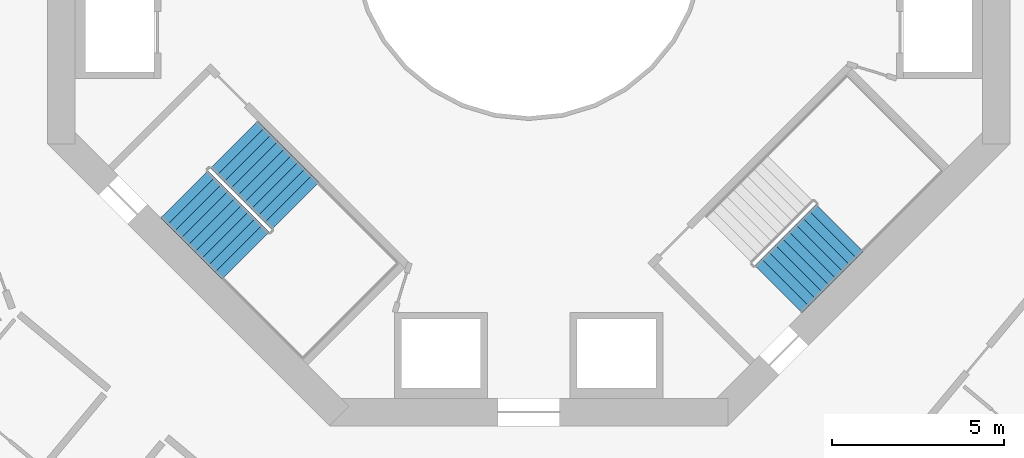
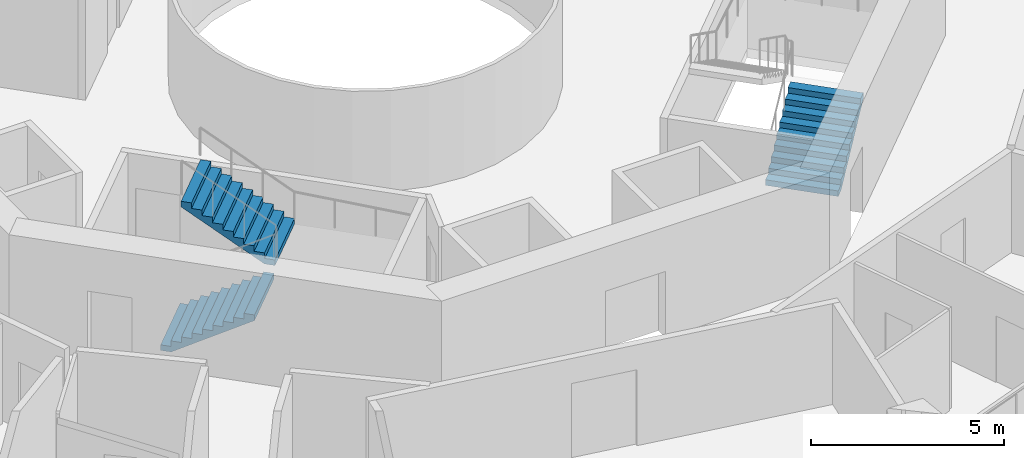
# One storey, part 22 of 24: 3 stair flights, 2 elements without a shape of their own.
"""IFC4 building model written with IfcOpenShell, lengths in metres."""

from ifc_helpers import new_model, si_unit, direction, frame, origin, place, context, subcontext, project, spatial, triangles, material, type_object, element, aggregate, save


model = new_model("IFC4")

# Units and contexts
model_context = context("Model", 3, precision=1e-05, world=origin(), true_north=direction((0.0, 1.0)))
body_context = subcontext(model_context, "Body", "Model", "MODEL_VIEW")
ifc_project = project(units=[si_unit("LENGTHUNIT", "METRE"), si_unit("AREAUNIT", "SQUARE_METRE"), si_unit("VOLUMEUNIT", "CUBIC_METRE"), si_unit("PLANEANGLEUNIT", "RADIAN"), si_unit("MASSUNIT", "GRAM", prefix="KILO")], contexts=[model_context])

# Site, building, storey
site_placement = place(None, origin())
site = spatial("IfcSite", under=ifc_project, at=site_placement, CompositionType="ELEMENT")
building_placement = place(site_placement, origin())
building = spatial("IfcBuilding", under=site, at=building_placement, Name="Verdalira Terraces Hotel", CompositionType="ELEMENT")
storey_placement = place(building_placement, frame((0.0, 0.0, 115.0)))
storey = spatial("IfcBuildingStorey", under=building, at=storey_placement, Name="L27", CompositionType="ELEMENT", Elevation=115.0)

# Stair, stair flights
ifc_material_1 = material(Name="Concrete C40", Category="concrete")
stair_type = type_object("IfcStairType", Name="Core stair 20 risers 1950 mm wide", PredefinedType="HALF_TURN_STAIR", material=ifc_material_1)
stair_1_placement = place(storey_placement, origin())
stair_1 = element("IfcStair", 1, at=stair_1_placement, inside=storey, type_object=stair_type, Name="L27 Exit stair ST2", PredefinedType="HALF_TURN_STAIR")
ifc_material_2 = material(Name="Concrete C40", Category="concrete")
stair_flight_type = type_object("IfcStairFlightType", Name="Core stair flight 20 risers 1950 mm wide", PredefinedType="STRAIGHT", material=ifc_material_2)
stair_flight_1_placement = place(storey_placement, frame((-10.023193, -7.265625, 0.0), z_axis=(0.0, 0.0, 1.0), x_axis=(0.707106781, -0.707106781, 0.0)))
stair_flight_1 = element("IfcStairFlight", 2, at=stair_flight_1_placement, type_object=stair_flight_type, Name="ST2 flight 1", NumberOfRisers=10, NumberOfTreads=9, PredefinedType="STRAIGHT", RiserHeight=0.175, TreadLength=0.28, context=body_context, shape_type="Tessellation", body=[
    triangles([(0.0, 0.974976, 0.0), (0.282715, 0.974976, 0.0), (2.52002, 0.974976, 1.398193), (0.0, -0.974976, 0.0), (0.282715, -0.974976, 0.0), (2.52002, -0.974976, 1.398193), (2.52002, 0.974976, 1.574951), (2.23999, 0.974976, 1.574951), (2.52002, -0.974976, 1.574951), (2.23999, -0.974976, 1.574951), (2.23999, 0.974976, 1.399902), (2.23999, -0.974976, 1.399902), (1.959961, 0.974976, 1.399902), (1.959961, -0.974976, 1.399902), (1.959961, 0.974976, 1.225098), (1.959961, -0.974976, 1.225098), (1.679932, 0.974976, 1.225098), (1.679932, 0.974976, 1.050049), (1.679932, -0.974976, 1.225098), (1.679932, -0.974976, 1.050049), (1.399902, 0.974976, 1.050049), (1.399902, 0.974976, 0.875), (1.399902, -0.974976, 1.050049), (1.399902, -0.974976, 0.875), (1.120117, 0.974976, 0.875), (1.120117, 0.974976, 0.699951), (1.120117, -0.974976, 0.875), (1.120117, -0.974976, 0.699951), (0.840088, 0.974976, 0.699951), (0.840088, 0.974976, 0.524902), (0.840088, -0.974976, 0.699951), (0.840088, -0.974976, 0.524902), (0.560059, 0.974976, 0.524902), (0.560059, 0.974976, 0.350098), (0.560059, -0.974976, 0.524902), (0.560059, -0.974976, 0.350098), (0.280029, 0.974976, 0.350098), (0.280029, 0.974976, 0.175049), (0.280029, -0.974976, 0.350098), (0.280029, -0.974976, 0.175049), (0.0, 0.974976, 0.175049), (0.0, -0.974976, 0.175049), (0.0, -0.91404, 0.0), (0.0, -0.91404, 0.175049), (0.0, -0.853104, 0.0), (0.0, -0.853104, 0.175049), (0.0, -0.792168, 0.0), (0.0, -0.792168, 0.175049), (0.0, -0.731232, 0.0), (0.0, -0.731232, 0.175049), (0.0, -0.670296, 0.0), (0.0, -0.670296, 0.175049), (0.0, -0.60936, 0.0), (0.0, -0.60936, 0.175049), (0.0, -0.548424, 0.0), (0.0, -0.548424, 0.175049), (0.0, -0.487488, 0.0), (0.0, -0.487488, 0.175049), (0.0, -0.426552, 0.0), (0.0, -0.426552, 0.175049), (0.0, -0.365616, 0.0), (0.0, -0.365616, 0.175049), (0.0, -0.30468, 0.0), (0.0, -0.30468, 0.175049), (0.0, -0.243744, 0.0), (0.0, -0.243744, 0.175049), (0.0, -0.182808, 0.0), (0.0, -0.182808, 0.175049), (0.0, -0.121872, 0.0), (0.0, -0.121872, 0.175049), (0.0, -0.060936, 0.0), (0.0, -0.060936, 0.175049), (0.0, 0.0, 0.0), (0.0, 0.0, 0.175049), (0.0, 0.060936, 0.0), (0.0, 0.060936, 0.175049), (0.0, 0.121872, 0.0), (0.0, 0.121872, 0.175049), (0.0, 0.182808, 0.0), (0.0, 0.182808, 0.175049), (0.0, 0.243744, 0.0), (0.0, 0.243744, 0.175049), (0.0, 0.30468, 0.0), (0.0, 0.30468, 0.175049), (0.0, 0.365616, 0.0), (0.0, 0.365616, 0.175049), (0.0, 0.426552, 0.0), (0.0, 0.426552, 0.175049), (0.0, 0.487488, 0.0), (0.0, 0.487488, 0.175049), (0.0, 0.548424, 0.0), (0.0, 0.548424, 0.175049), (0.0, 0.60936, 0.0), (0.0, 0.60936, 0.175049), (0.0, 0.670296, 0.0), (0.0, 0.670296, 0.175049), (0.0, 0.731232, 0.0), (0.0, 0.731232, 0.175049), (0.0, 0.792168, 0.0), (0.0, 0.792168, 0.175049), (0.0, 0.853104, 0.0), (0.0, 0.853104, 0.175049), (0.0, 0.91404, 0.0), (0.0, 0.91404, 0.175049), (2.52002, -0.91404, 1.574951), (2.52002, -0.853104, 1.574951), (2.52002, -0.792168, 1.574951), (2.52002, -0.731232, 1.574951), (2.52002, -0.670296, 1.574951), (2.52002, -0.60936, 1.574951), (2.52002, -0.548424, 1.574951), (2.52002, -0.487488, 1.574951), (2.52002, -0.426552, 1.574951), (2.52002, -0.365616, 1.574951), (2.52002, -0.30468, 1.574951), (2.52002, -0.243744, 1.574951), (2.52002, -0.182808, 1.574951), (2.52002, -0.121872, 1.574951), (2.52002, -0.060936, 1.574951), (2.52002, 0.0, 1.574951), (2.52002, 0.060936, 1.574951), (2.52002, 0.121872, 1.574951), (2.52002, 0.182808, 1.574951), (2.52002, 0.243744, 1.574951), (2.52002, 0.30468, 1.574951), (2.52002, 0.365616, 1.574951), (2.52002, 0.426552, 1.574951), (2.52002, 0.487488, 1.574951), (2.52002, 0.548424, 1.574951), (2.52002, 0.60936, 1.574951), (2.52002, 0.670296, 1.574951), (2.52002, 0.731232, 1.574951), (2.52002, 0.792168, 1.574951), (2.52002, 0.853104, 1.574951), (2.52002, 0.91404, 1.574951), (2.52002, -0.91404, 1.398193), (2.52002, -0.853104, 1.398193), (2.52002, -0.792168, 1.398193), (2.52002, -0.731232, 1.398193), (2.52002, -0.670296, 1.398193), (2.52002, -0.60936, 1.398193), (2.52002, -0.548424, 1.398193), (2.52002, -0.487488, 1.398193), (2.52002, -0.426552, 1.398193), (2.52002, -0.365616, 1.398193), (2.52002, -0.30468, 1.398193), (2.52002, -0.243744, 1.398193), (2.52002, -0.182808, 1.398193), (2.52002, -0.121872, 1.398193), (2.52002, -0.060936, 1.398193), (2.52002, 0.0, 1.398193), (2.52002, 0.060936, 1.398193), (2.52002, 0.121872, 1.398193), (2.52002, 0.182808, 1.398193), (2.52002, 0.243744, 1.398193), (2.52002, 0.30468, 1.398193), (2.52002, 0.365616, 1.398193), (2.52002, 0.426552, 1.398193), (2.52002, 0.487488, 1.398193), (2.52002, 0.548424, 1.398193), (2.52002, 0.60936, 1.398193), (2.52002, 0.670296, 1.398193), (2.52002, 0.731232, 1.398193), (2.52002, 0.792168, 1.398193), (2.52002, 0.853104, 1.398193), (2.52002, 0.91404, 1.398193)], [[1, 3, 2], [4, 5, 6], [3, 8, 7], [6, 9, 10], [3, 11, 8], [6, 10, 12], [3, 13, 11], [6, 12, 14], [3, 15, 13], [6, 14, 16], [15, 18, 17], [16, 19, 20], [3, 18, 15], [6, 16, 20], [18, 22, 21], [20, 23, 24], [3, 22, 18], [6, 20, 24], [22, 26, 25], [24, 27, 28], [3, 26, 22], [6, 24, 28], [26, 30, 29], [28, 31, 32], [3, 30, 26], [6, 28, 32], [1, 30, 3], [4, 6, 32], [30, 34, 33], [32, 35, 36], [34, 38, 37], [36, 39, 40], [30, 38, 34], [32, 36, 40], [1, 38, 30], [4, 32, 40], [38, 1, 41], [40, 42, 4], [4, 44, 43], [4, 42, 44], [43, 46, 45], [43, 44, 46], [45, 48, 47], [45, 46, 48], [47, 50, 49], [47, 48, 50], [49, 52, 51], [49, 50, 52], [51, 54, 53], [51, 52, 54], [53, 56, 55], [53, 54, 56], [55, 58, 57], [55, 56, 58], [57, 60, 59], [57, 58, 60], [59, 62, 61], [59, 60, 62], [61, 64, 63], [61, 62, 64], [63, 66, 65], [63, 64, 66], [65, 68, 67], [65, 66, 68], [67, 70, 69], [67, 68, 70], [69, 72, 71], [69, 70, 72], [71, 74, 73], [71, 72, 74], [73, 76, 75], [73, 74, 76], [75, 78, 77], [75, 76, 78], [77, 80, 79], [77, 78, 80], [79, 82, 81], [79, 80, 82], [81, 84, 83], [81, 82, 84], [83, 86, 85], [83, 84, 86], [85, 88, 87], [85, 86, 88], [87, 90, 89], [87, 88, 90], [89, 92, 91], [89, 90, 92], [91, 94, 93], [91, 92, 94], [93, 96, 95], [93, 94, 96], [95, 98, 97], [95, 96, 98], [97, 100, 99], [97, 98, 100], [99, 102, 101], [99, 100, 102], [101, 104, 103], [101, 102, 104], [103, 41, 1], [103, 104, 41], [42, 40, 44], [44, 40, 46], [46, 40, 48], [48, 40, 50], [50, 40, 52], [52, 40, 54], [54, 40, 56], [56, 40, 58], [58, 40, 60], [60, 40, 62], [62, 40, 64], [64, 40, 66], [66, 40, 68], [68, 40, 70], [70, 40, 72], [72, 40, 74], [74, 40, 76], [76, 40, 78], [78, 40, 80], [80, 40, 82], [82, 40, 84], [84, 40, 86], [86, 40, 88], [88, 40, 90], [90, 40, 92], [92, 40, 94], [94, 40, 96], [96, 40, 98], [98, 40, 100], [100, 40, 102], [102, 40, 104], [104, 40, 41], [41, 40, 38], [40, 37, 38], [40, 39, 37], [39, 34, 37], [39, 36, 34], [36, 33, 34], [36, 35, 33], [35, 30, 33], [35, 32, 30], [32, 29, 30], [32, 31, 29], [31, 26, 29], [31, 28, 26], [28, 25, 26], [28, 27, 25], [27, 22, 25], [27, 24, 22], [24, 21, 22], [24, 23, 21], [23, 18, 21], [23, 20, 18], [20, 17, 18], [20, 19, 17], [19, 15, 17], [19, 16, 15], [16, 13, 15], [16, 14, 13], [14, 11, 13], [14, 12, 11], [12, 8, 11], [12, 10, 8], [9, 105, 10], [105, 106, 10], [106, 107, 10], [107, 108, 10], [108, 109, 10], [109, 110, 10], [110, 111, 10], [111, 112, 10], [112, 113, 10], [113, 114, 10], [114, 115, 10], [115, 116, 10], [116, 117, 10], [117, 118, 10], [118, 119, 10], [119, 120, 10], [120, 121, 10], [121, 122, 10], [122, 123, 10], [123, 124, 10], [124, 125, 10], [125, 126, 10], [126, 127, 10], [127, 128, 10], [128, 129, 10], [129, 130, 10], [130, 131, 10], [131, 132, 10], [132, 133, 10], [133, 134, 10], [134, 135, 10], [135, 7, 10], [7, 8, 10], [9, 136, 105], [9, 6, 136], [105, 137, 106], [105, 136, 137], [106, 138, 107], [106, 137, 138], [107, 139, 108], [107, 138, 139], [108, 140, 109], [108, 139, 140], [109, 141, 110], [109, 140, 141], [110, 142, 111], [110, 141, 142], [111, 143, 112], [111, 142, 143], [112, 144, 113], [112, 143, 144], [113, 145, 114], [113, 144, 145], [114, 146, 115], [114, 145, 146], [115, 147, 116], [115, 146, 147], [116, 148, 117], [116, 147, 148], [117, 149, 118], [117, 148, 149], [118, 150, 119], [118, 149, 150], [119, 151, 120], [119, 150, 151], [120, 152, 121], [120, 151, 152], [121, 153, 122], [121, 152, 153], [122, 154, 123], [122, 153, 154], [123, 155, 124], [123, 154, 155], [124, 156, 125], [124, 155, 156], [125, 157, 126], [125, 156, 157], [126, 158, 127], [126, 157, 158], [127, 159, 128], [127, 158, 159], [128, 160, 129], [128, 159, 160], [129, 161, 130], [129, 160, 161], [130, 162, 131], [130, 161, 162], [131, 163, 132], [131, 162, 163], [132, 164, 133], [132, 163, 164], [133, 165, 134], [133, 164, 165], [134, 166, 135], [134, 165, 166], [135, 3, 7], [135, 166, 3], [6, 5, 136], [136, 5, 137], [137, 5, 138], [138, 5, 139], [139, 5, 140], [140, 5, 141], [141, 5, 142], [142, 5, 143], [143, 5, 144], [144, 5, 145], [145, 5, 146], [146, 5, 147], [147, 5, 148], [148, 5, 149], [149, 5, 150], [150, 5, 151], [151, 5, 152], [152, 5, 153], [153, 5, 154], [154, 5, 155], [155, 5, 156], [156, 5, 157], [157, 5, 158], [158, 5, 159], [159, 5, 160], [160, 5, 161], [161, 5, 162], [162, 5, 163], [163, 5, 164], [164, 5, 165], [165, 5, 166], [166, 5, 3], [3, 5, 2], [4, 43, 5], [43, 45, 5], [45, 47, 5], [47, 49, 5], [49, 51, 5], [51, 53, 5], [53, 55, 5], [55, 57, 5], [57, 59, 5], [59, 61, 5], [61, 63, 5], [63, 65, 5], [65, 67, 5], [67, 69, 5], [69, 71, 5], [71, 73, 5], [73, 75, 5], [75, 77, 5], [77, 79, 5], [79, 81, 5], [81, 83, 5], [83, 85, 5], [85, 87, 5], [87, 89, 5], [89, 91, 5], [91, 93, 5], [93, 95, 5], [95, 97, 5], [97, 99, 5], [99, 101, 5], [101, 103, 5], [103, 1, 5], [1, 2, 5]], closed=True),
])
stair_flight_2_placement = place(storey_placement, frame((-6.791748, -7.5979, 1.75), z_axis=(0.0, 0.0, 1.0), x_axis=(-0.707106781, 0.707106781, 0.0)))
stair_flight_2 = element("IfcStairFlight", 3, at=stair_flight_2_placement, type_object=stair_flight_type, Name="ST2 flight 2", NumberOfRisers=10, NumberOfTreads=9, PredefinedType="STRAIGHT", RiserHeight=0.175, TreadLength=0.28, context=body_context, shape_type="Tessellation", body=[
    triangles([(0.0, 0.974976, 0.0), (0.282715, 0.974976, 0.0), (2.52002, 0.974976, 1.398193), (0.0, -0.974976, 0.0), (0.282715, -0.974976, 0.0), (2.52002, -0.974976, 1.398193), (2.52002, 0.974976, 1.574951), (2.23999, 0.974976, 1.574951), (2.52002, -0.974976, 1.574951), (2.23999, -0.974976, 1.574951), (2.23999, 0.974976, 1.399902), (2.23999, -0.974976, 1.399902), (1.959961, 0.974976, 1.399902), (1.959961, -0.974976, 1.399902), (1.959961, 0.974976, 1.225098), (1.959961, -0.974976, 1.225098), (1.679932, 0.974976, 1.225098), (1.679932, 0.974976, 1.050049), (1.679932, -0.974976, 1.225098), (1.679932, -0.974976, 1.050049), (1.399902, 0.974976, 1.050049), (1.399902, 0.974976, 0.875), (1.399902, -0.974976, 1.050049), (1.399902, -0.974976, 0.875), (1.120117, 0.974976, 0.875), (1.120117, 0.974976, 0.699951), (1.120117, -0.974976, 0.875), (1.120117, -0.974976, 0.699951), (0.840088, 0.974976, 0.699951), (0.840088, 0.974976, 0.524902), (0.840088, -0.974976, 0.699951), (0.840088, -0.974976, 0.524902), (0.560059, 0.974976, 0.524902), (0.560059, 0.974976, 0.350098), (0.560059, -0.974976, 0.524902), (0.560059, -0.974976, 0.350098), (0.280029, 0.974976, 0.350098), (0.280029, 0.974976, 0.175049), (0.280029, -0.974976, 0.350098), (0.280029, -0.974976, 0.175049), (0.0, 0.974976, 0.175049), (0.0, -0.974976, 0.175049), (0.0, -0.91404, 0.0), (0.0, -0.91404, 0.175049), (0.0, -0.853104, 0.0), (0.0, -0.853104, 0.175049), (0.0, -0.792168, 0.0), (0.0, -0.792168, 0.175049), (0.0, -0.731232, 0.0), (0.0, -0.731232, 0.175049), (0.0, -0.670296, 0.0), (0.0, -0.670296, 0.175049), (0.0, -0.60936, 0.0), (0.0, -0.60936, 0.175049), (0.0, -0.548424, 0.0), (0.0, -0.548424, 0.175049), (0.0, -0.487488, 0.0), (0.0, -0.487488, 0.175049), (0.0, -0.426552, 0.0), (0.0, -0.426552, 0.175049), (0.0, -0.365616, 0.0), (0.0, -0.365616, 0.175049), (0.0, -0.30468, 0.0), (0.0, -0.30468, 0.175049), (0.0, -0.243744, 0.0), (0.0, -0.243744, 0.175049), (0.0, -0.182808, 0.0), (0.0, -0.182808, 0.175049), (0.0, -0.121872, 0.0), (0.0, -0.121872, 0.175049), (0.0, -0.060936, 0.0), (0.0, -0.060936, 0.175049), (0.0, 0.0, 0.0), (0.0, 0.0, 0.175049), (0.0, 0.060936, 0.0), (0.0, 0.060936, 0.175049), (0.0, 0.121872, 0.0), (0.0, 0.121872, 0.175049), (0.0, 0.182808, 0.0), (0.0, 0.182808, 0.175049), (0.0, 0.243744, 0.0), (0.0, 0.243744, 0.175049), (0.0, 0.30468, 0.0), (0.0, 0.30468, 0.175049), (0.0, 0.365616, 0.0), (0.0, 0.365616, 0.175049), (0.0, 0.426552, 0.0), (0.0, 0.426552, 0.175049), (0.0, 0.487488, 0.0), (0.0, 0.487488, 0.175049), (0.0, 0.548424, 0.0), (0.0, 0.548424, 0.175049), (0.0, 0.60936, 0.0), (0.0, 0.60936, 0.175049), (0.0, 0.670296, 0.0), (0.0, 0.670296, 0.175049), (0.0, 0.731232, 0.0), (0.0, 0.731232, 0.175049), (0.0, 0.792168, 0.0), (0.0, 0.792168, 0.175049), (0.0, 0.853104, 0.0), (0.0, 0.853104, 0.175049), (0.0, 0.91404, 0.0), (0.0, 0.91404, 0.175049), (2.52002, -0.91404, 1.574951), (2.52002, -0.853104, 1.574951), (2.52002, -0.792168, 1.574951), (2.52002, -0.731232, 1.574951), (2.52002, -0.670296, 1.574951), (2.52002, -0.60936, 1.574951), (2.52002, -0.548424, 1.574951), (2.52002, -0.487488, 1.574951), (2.52002, -0.426552, 1.574951), (2.52002, -0.365616, 1.574951), (2.52002, -0.30468, 1.574951), (2.52002, -0.243744, 1.574951), (2.52002, -0.182808, 1.574951), (2.52002, -0.121872, 1.574951), (2.52002, -0.060936, 1.574951), (2.52002, 0.0, 1.574951), (2.52002, 0.060936, 1.574951), (2.52002, 0.121872, 1.574951), (2.52002, 0.182808, 1.574951), (2.52002, 0.243744, 1.574951), (2.52002, 0.30468, 1.574951), (2.52002, 0.365616, 1.574951), (2.52002, 0.426552, 1.574951), (2.52002, 0.487488, 1.574951), (2.52002, 0.548424, 1.574951), (2.52002, 0.60936, 1.574951), (2.52002, 0.670296, 1.574951), (2.52002, 0.731232, 1.574951), (2.52002, 0.792168, 1.574951), (2.52002, 0.853104, 1.574951), (2.52002, 0.91404, 1.574951), (2.52002, -0.91404, 1.398193), (2.52002, -0.853104, 1.398193), (2.52002, -0.792168, 1.398193), (2.52002, -0.731232, 1.398193), (2.52002, -0.670296, 1.398193), (2.52002, -0.60936, 1.398193), (2.52002, -0.548424, 1.398193), (2.52002, -0.487488, 1.398193), (2.52002, -0.426552, 1.398193), (2.52002, -0.365616, 1.398193), (2.52002, -0.30468, 1.398193), (2.52002, -0.243744, 1.398193), (2.52002, -0.182808, 1.398193), (2.52002, -0.121872, 1.398193), (2.52002, -0.060936, 1.398193), (2.52002, 0.0, 1.398193), (2.52002, 0.060936, 1.398193), (2.52002, 0.121872, 1.398193), (2.52002, 0.182808, 1.398193), (2.52002, 0.243744, 1.398193), (2.52002, 0.30468, 1.398193), (2.52002, 0.365616, 1.398193), (2.52002, 0.426552, 1.398193), (2.52002, 0.487488, 1.398193), (2.52002, 0.548424, 1.398193), (2.52002, 0.60936, 1.398193), (2.52002, 0.670296, 1.398193), (2.52002, 0.731232, 1.398193), (2.52002, 0.792168, 1.398193), (2.52002, 0.853104, 1.398193), (2.52002, 0.91404, 1.398193)], [[1, 3, 2], [4, 5, 6], [3, 8, 7], [6, 9, 10], [3, 11, 8], [6, 10, 12], [3, 13, 11], [6, 12, 14], [3, 15, 13], [6, 14, 16], [15, 18, 17], [16, 19, 20], [3, 18, 15], [6, 16, 20], [18, 22, 21], [20, 23, 24], [3, 22, 18], [6, 20, 24], [22, 26, 25], [24, 27, 28], [3, 26, 22], [6, 24, 28], [26, 30, 29], [28, 31, 32], [3, 30, 26], [6, 28, 32], [1, 30, 3], [4, 6, 32], [30, 34, 33], [32, 35, 36], [34, 38, 37], [36, 39, 40], [30, 38, 34], [32, 36, 40], [1, 38, 30], [4, 32, 40], [38, 1, 41], [40, 42, 4], [4, 44, 43], [4, 42, 44], [43, 46, 45], [43, 44, 46], [45, 48, 47], [45, 46, 48], [47, 50, 49], [47, 48, 50], [49, 52, 51], [49, 50, 52], [51, 54, 53], [51, 52, 54], [53, 56, 55], [53, 54, 56], [55, 58, 57], [55, 56, 58], [57, 60, 59], [57, 58, 60], [59, 62, 61], [59, 60, 62], [61, 64, 63], [61, 62, 64], [63, 66, 65], [63, 64, 66], [65, 68, 67], [65, 66, 68], [67, 70, 69], [67, 68, 70], [69, 72, 71], [69, 70, 72], [71, 74, 73], [71, 72, 74], [73, 76, 75], [73, 74, 76], [75, 78, 77], [75, 76, 78], [77, 80, 79], [77, 78, 80], [79, 82, 81], [79, 80, 82], [81, 84, 83], [81, 82, 84], [83, 86, 85], [83, 84, 86], [85, 88, 87], [85, 86, 88], [87, 90, 89], [87, 88, 90], [89, 92, 91], [89, 90, 92], [91, 94, 93], [91, 92, 94], [93, 96, 95], [93, 94, 96], [95, 98, 97], [95, 96, 98], [97, 100, 99], [97, 98, 100], [99, 102, 101], [99, 100, 102], [101, 104, 103], [101, 102, 104], [103, 41, 1], [103, 104, 41], [42, 40, 44], [44, 40, 46], [46, 40, 48], [48, 40, 50], [50, 40, 52], [52, 40, 54], [54, 40, 56], [56, 40, 58], [58, 40, 60], [60, 40, 62], [62, 40, 64], [64, 40, 66], [66, 40, 68], [68, 40, 70], [70, 40, 72], [72, 40, 74], [74, 40, 76], [76, 40, 78], [78, 40, 80], [80, 40, 82], [82, 40, 84], [84, 40, 86], [86, 40, 88], [88, 40, 90], [90, 40, 92], [92, 40, 94], [94, 40, 96], [96, 40, 98], [98, 40, 100], [100, 40, 102], [102, 40, 104], [104, 40, 41], [41, 40, 38], [40, 37, 38], [40, 39, 37], [39, 34, 37], [39, 36, 34], [36, 33, 34], [36, 35, 33], [35, 30, 33], [35, 32, 30], [32, 29, 30], [32, 31, 29], [31, 26, 29], [31, 28, 26], [28, 25, 26], [28, 27, 25], [27, 22, 25], [27, 24, 22], [24, 21, 22], [24, 23, 21], [23, 18, 21], [23, 20, 18], [20, 17, 18], [20, 19, 17], [19, 15, 17], [19, 16, 15], [16, 13, 15], [16, 14, 13], [14, 11, 13], [14, 12, 11], [12, 8, 11], [12, 10, 8], [9, 105, 10], [105, 106, 10], [106, 107, 10], [107, 108, 10], [108, 109, 10], [109, 110, 10], [110, 111, 10], [111, 112, 10], [112, 113, 10], [113, 114, 10], [114, 115, 10], [115, 116, 10], [116, 117, 10], [117, 118, 10], [118, 119, 10], [119, 120, 10], [120, 121, 10], [121, 122, 10], [122, 123, 10], [123, 124, 10], [124, 125, 10], [125, 126, 10], [126, 127, 10], [127, 128, 10], [128, 129, 10], [129, 130, 10], [130, 131, 10], [131, 132, 10], [132, 133, 10], [133, 134, 10], [134, 135, 10], [135, 7, 10], [7, 8, 10], [9, 136, 105], [9, 6, 136], [105, 137, 106], [105, 136, 137], [106, 138, 107], [106, 137, 138], [107, 139, 108], [107, 138, 139], [108, 140, 109], [108, 139, 140], [109, 141, 110], [109, 140, 141], [110, 142, 111], [110, 141, 142], [111, 143, 112], [111, 142, 143], [112, 144, 113], [112, 143, 144], [113, 145, 114], [113, 144, 145], [114, 146, 115], [114, 145, 146], [115, 147, 116], [115, 146, 147], [116, 148, 117], [116, 147, 148], [117, 149, 118], [117, 148, 149], [118, 150, 119], [118, 149, 150], [119, 151, 120], [119, 150, 151], [120, 152, 121], [120, 151, 152], [121, 153, 122], [121, 152, 153], [122, 154, 123], [122, 153, 154], [123, 155, 124], [123, 154, 155], [124, 156, 125], [124, 155, 156], [125, 157, 126], [125, 156, 157], [126, 158, 127], [126, 157, 158], [127, 159, 128], [127, 158, 159], [128, 160, 129], [128, 159, 160], [129, 161, 130], [129, 160, 161], [130, 162, 131], [130, 161, 162], [131, 163, 132], [131, 162, 163], [132, 164, 133], [132, 163, 164], [133, 165, 134], [133, 164, 165], [134, 166, 135], [134, 165, 166], [135, 3, 7], [135, 166, 3], [6, 5, 136], [136, 5, 137], [137, 5, 138], [138, 5, 139], [139, 5, 140], [140, 5, 141], [141, 5, 142], [142, 5, 143], [143, 5, 144], [144, 5, 145], [145, 5, 146], [146, 5, 147], [147, 5, 148], [148, 5, 149], [149, 5, 150], [150, 5, 151], [151, 5, 152], [152, 5, 153], [153, 5, 154], [154, 5, 155], [155, 5, 156], [156, 5, 157], [157, 5, 158], [158, 5, 159], [159, 5, 160], [160, 5, 161], [161, 5, 162], [162, 5, 163], [163, 5, 164], [164, 5, 165], [165, 5, 166], [166, 5, 3], [3, 5, 2], [4, 43, 5], [43, 45, 5], [45, 47, 5], [47, 49, 5], [49, 51, 5], [51, 53, 5], [53, 55, 5], [55, 57, 5], [57, 59, 5], [59, 61, 5], [61, 63, 5], [63, 65, 5], [65, 67, 5], [67, 69, 5], [69, 71, 5], [71, 73, 5], [73, 75, 5], [75, 77, 5], [77, 79, 5], [79, 81, 5], [81, 83, 5], [83, 85, 5], [85, 87, 5], [87, 89, 5], [89, 91, 5], [91, 93, 5], [93, 95, 5], [95, 97, 5], [97, 99, 5], [99, 101, 5], [101, 103, 5], [103, 1, 5], [1, 2, 5]], closed=True),
])
aggregate(stair_1, [stair_flight_1, stair_flight_2])

# Stair, stair flight
stair_2_placement = place(storey_placement, origin())
stair_2 = element("IfcStair", 4, at=stair_2_placement, inside=storey, type_object=stair_type, Name="L27 Exit stair ST3", PredefinedType="HALF_TURN_STAIR")
stair_flight_3_placement = place(storey_placement, frame((7.265625, -10.023193, 0.0), z_axis=(0.0, 0.0, 1.0), x_axis=(0.707106781, 0.707106781, 0.0)))
stair_flight_3 = element("IfcStairFlight", 5, at=stair_flight_3_placement, type_object=stair_flight_type, Name="ST3 flight 1", NumberOfRisers=10, NumberOfTreads=9, PredefinedType="STRAIGHT", RiserHeight=0.175, TreadLength=0.28, context=body_context, shape_type="Tessellation", body=[
    triangles([(0.0, 0.974976, 0.0), (0.282715, 0.974976, 0.0), (2.52002, 0.974976, 1.398193), (0.0, -0.974976, 0.0), (0.282715, -0.974976, 0.0), (2.52002, -0.974976, 1.398193), (2.52002, 0.974976, 1.574951), (2.23999, 0.974976, 1.574951), (2.52002, -0.974976, 1.574951), (2.23999, -0.974976, 1.574951), (2.23999, 0.974976, 1.399902), (2.23999, -0.974976, 1.399902), (1.959961, 0.974976, 1.399902), (1.959961, -0.974976, 1.399902), (1.959961, 0.974976, 1.225098), (1.959961, -0.974976, 1.225098), (1.679932, 0.974976, 1.225098), (1.679932, 0.974976, 1.050049), (1.679932, -0.974976, 1.225098), (1.679932, -0.974976, 1.050049), (1.399902, 0.974976, 1.050049), (1.399902, 0.974976, 0.875), (1.399902, -0.974976, 1.050049), (1.399902, -0.974976, 0.875), (1.120117, 0.974976, 0.875), (1.120117, 0.974976, 0.699951), (1.120117, -0.974976, 0.875), (1.120117, -0.974976, 0.699951), (0.840088, 0.974976, 0.699951), (0.840088, 0.974976, 0.524902), (0.840088, -0.974976, 0.699951), (0.840088, -0.974976, 0.524902), (0.560059, 0.974976, 0.524902), (0.560059, 0.974976, 0.350098), (0.560059, -0.974976, 0.524902), (0.560059, -0.974976, 0.350098), (0.280029, 0.974976, 0.350098), (0.280029, 0.974976, 0.175049), (0.280029, -0.974976, 0.350098), (0.280029, -0.974976, 0.175049), (0.0, 0.974976, 0.175049), (0.0, -0.974976, 0.175049), (0.0, -0.91404, 0.0), (0.0, -0.91404, 0.175049), (0.0, -0.853104, 0.0), (0.0, -0.853104, 0.175049), (0.0, -0.792168, 0.0), (0.0, -0.792168, 0.175049), (0.0, -0.731232, 0.0), (0.0, -0.731232, 0.175049), (0.0, -0.670296, 0.0), (0.0, -0.670296, 0.175049), (0.0, -0.60936, 0.0), (0.0, -0.60936, 0.175049), (0.0, -0.548424, 0.0), (0.0, -0.548424, 0.175049), (0.0, -0.487488, 0.0), (0.0, -0.487488, 0.175049), (0.0, -0.426552, 0.0), (0.0, -0.426552, 0.175049), (0.0, -0.365616, 0.0), (0.0, -0.365616, 0.175049), (0.0, -0.30468, 0.0), (0.0, -0.30468, 0.175049), (0.0, -0.243744, 0.0), (0.0, -0.243744, 0.175049), (0.0, -0.182808, 0.0), (0.0, -0.182808, 0.175049), (0.0, -0.121872, 0.0), (0.0, -0.121872, 0.175049), (0.0, -0.060936, 0.0), (0.0, -0.060936, 0.175049), (0.0, 0.0, 0.0), (0.0, 0.0, 0.175049), (0.0, 0.060936, 0.0), (0.0, 0.060936, 0.175049), (0.0, 0.121872, 0.0), (0.0, 0.121872, 0.175049), (0.0, 0.182808, 0.0), (0.0, 0.182808, 0.175049), (0.0, 0.243744, 0.0), (0.0, 0.243744, 0.175049), (0.0, 0.30468, 0.0), (0.0, 0.30468, 0.175049), (0.0, 0.365616, 0.0), (0.0, 0.365616, 0.175049), (0.0, 0.426552, 0.0), (0.0, 0.426552, 0.175049), (0.0, 0.487488, 0.0), (0.0, 0.487488, 0.175049), (0.0, 0.548424, 0.0), (0.0, 0.548424, 0.175049), (0.0, 0.60936, 0.0), (0.0, 0.60936, 0.175049), (0.0, 0.670296, 0.0), (0.0, 0.670296, 0.175049), (0.0, 0.731232, 0.0), (0.0, 0.731232, 0.175049), (0.0, 0.792168, 0.0), (0.0, 0.792168, 0.175049), (0.0, 0.853104, 0.0), (0.0, 0.853104, 0.175049), (0.0, 0.91404, 0.0), (0.0, 0.91404, 0.175049), (2.52002, -0.91404, 1.574951), (2.52002, -0.853104, 1.574951), (2.52002, -0.792168, 1.574951), (2.52002, -0.731232, 1.574951), (2.52002, -0.670296, 1.574951), (2.52002, -0.60936, 1.574951), (2.52002, -0.548424, 1.574951), (2.52002, -0.487488, 1.574951), (2.52002, -0.426552, 1.574951), (2.52002, -0.365616, 1.574951), (2.52002, -0.30468, 1.574951), (2.52002, -0.243744, 1.574951), (2.52002, -0.182808, 1.574951), (2.52002, -0.121872, 1.574951), (2.52002, -0.060936, 1.574951), (2.52002, 0.0, 1.574951), (2.52002, 0.060936, 1.574951), (2.52002, 0.121872, 1.574951), (2.52002, 0.182808, 1.574951), (2.52002, 0.243744, 1.574951), (2.52002, 0.30468, 1.574951), (2.52002, 0.365616, 1.574951), (2.52002, 0.426552, 1.574951), (2.52002, 0.487488, 1.574951), (2.52002, 0.548424, 1.574951), (2.52002, 0.60936, 1.574951), (2.52002, 0.670296, 1.574951), (2.52002, 0.731232, 1.574951), (2.52002, 0.792168, 1.574951), (2.52002, 0.853104, 1.574951), (2.52002, 0.91404, 1.574951), (2.52002, -0.91404, 1.398193), (2.52002, -0.853104, 1.398193), (2.52002, -0.792168, 1.398193), (2.52002, -0.731232, 1.398193), (2.52002, -0.670296, 1.398193), (2.52002, -0.60936, 1.398193), (2.52002, -0.548424, 1.398193), (2.52002, -0.487488, 1.398193), (2.52002, -0.426552, 1.398193), (2.52002, -0.365616, 1.398193), (2.52002, -0.30468, 1.398193), (2.52002, -0.243744, 1.398193), (2.52002, -0.182808, 1.398193), (2.52002, -0.121872, 1.398193), (2.52002, -0.060936, 1.398193), (2.52002, 0.0, 1.398193), (2.52002, 0.060936, 1.398193), (2.52002, 0.121872, 1.398193), (2.52002, 0.182808, 1.398193), (2.52002, 0.243744, 1.398193), (2.52002, 0.30468, 1.398193), (2.52002, 0.365616, 1.398193), (2.52002, 0.426552, 1.398193), (2.52002, 0.487488, 1.398193), (2.52002, 0.548424, 1.398193), (2.52002, 0.60936, 1.398193), (2.52002, 0.670296, 1.398193), (2.52002, 0.731232, 1.398193), (2.52002, 0.792168, 1.398193), (2.52002, 0.853104, 1.398193), (2.52002, 0.91404, 1.398193)], [[1, 3, 2], [4, 5, 6], [3, 8, 7], [6, 9, 10], [3, 11, 8], [6, 10, 12], [3, 13, 11], [6, 12, 14], [3, 15, 13], [6, 14, 16], [15, 18, 17], [16, 19, 20], [3, 18, 15], [6, 16, 20], [18, 22, 21], [20, 23, 24], [3, 22, 18], [6, 20, 24], [22, 26, 25], [24, 27, 28], [3, 26, 22], [6, 24, 28], [26, 30, 29], [28, 31, 32], [3, 30, 26], [6, 28, 32], [1, 30, 3], [4, 6, 32], [30, 34, 33], [32, 35, 36], [34, 38, 37], [36, 39, 40], [30, 38, 34], [32, 36, 40], [1, 38, 30], [4, 32, 40], [38, 1, 41], [40, 42, 4], [4, 44, 43], [4, 42, 44], [43, 46, 45], [43, 44, 46], [45, 48, 47], [45, 46, 48], [47, 50, 49], [47, 48, 50], [49, 52, 51], [49, 50, 52], [51, 54, 53], [51, 52, 54], [53, 56, 55], [53, 54, 56], [55, 58, 57], [55, 56, 58], [57, 60, 59], [57, 58, 60], [59, 62, 61], [59, 60, 62], [61, 64, 63], [61, 62, 64], [63, 66, 65], [63, 64, 66], [65, 68, 67], [65, 66, 68], [67, 70, 69], [67, 68, 70], [69, 72, 71], [69, 70, 72], [71, 74, 73], [71, 72, 74], [73, 76, 75], [73, 74, 76], [75, 78, 77], [75, 76, 78], [77, 80, 79], [77, 78, 80], [79, 82, 81], [79, 80, 82], [81, 84, 83], [81, 82, 84], [83, 86, 85], [83, 84, 86], [85, 88, 87], [85, 86, 88], [87, 90, 89], [87, 88, 90], [89, 92, 91], [89, 90, 92], [91, 94, 93], [91, 92, 94], [93, 96, 95], [93, 94, 96], [95, 98, 97], [95, 96, 98], [97, 100, 99], [97, 98, 100], [99, 102, 101], [99, 100, 102], [101, 104, 103], [101, 102, 104], [103, 41, 1], [103, 104, 41], [42, 40, 44], [44, 40, 46], [46, 40, 48], [48, 40, 50], [50, 40, 52], [52, 40, 54], [54, 40, 56], [56, 40, 58], [58, 40, 60], [60, 40, 62], [62, 40, 64], [64, 40, 66], [66, 40, 68], [68, 40, 70], [70, 40, 72], [72, 40, 74], [74, 40, 76], [76, 40, 78], [78, 40, 80], [80, 40, 82], [82, 40, 84], [84, 40, 86], [86, 40, 88], [88, 40, 90], [90, 40, 92], [92, 40, 94], [94, 40, 96], [96, 40, 98], [98, 40, 100], [100, 40, 102], [102, 40, 104], [104, 40, 41], [41, 40, 38], [40, 37, 38], [40, 39, 37], [39, 34, 37], [39, 36, 34], [36, 33, 34], [36, 35, 33], [35, 30, 33], [35, 32, 30], [32, 29, 30], [32, 31, 29], [31, 26, 29], [31, 28, 26], [28, 25, 26], [28, 27, 25], [27, 22, 25], [27, 24, 22], [24, 21, 22], [24, 23, 21], [23, 18, 21], [23, 20, 18], [20, 17, 18], [20, 19, 17], [19, 15, 17], [19, 16, 15], [16, 13, 15], [16, 14, 13], [14, 11, 13], [14, 12, 11], [12, 8, 11], [12, 10, 8], [9, 105, 10], [105, 106, 10], [106, 107, 10], [107, 108, 10], [108, 109, 10], [109, 110, 10], [110, 111, 10], [111, 112, 10], [112, 113, 10], [113, 114, 10], [114, 115, 10], [115, 116, 10], [116, 117, 10], [117, 118, 10], [118, 119, 10], [119, 120, 10], [120, 121, 10], [121, 122, 10], [122, 123, 10], [123, 124, 10], [124, 125, 10], [125, 126, 10], [126, 127, 10], [127, 128, 10], [128, 129, 10], [129, 130, 10], [130, 131, 10], [131, 132, 10], [132, 133, 10], [133, 134, 10], [134, 135, 10], [135, 7, 10], [7, 8, 10], [9, 136, 105], [9, 6, 136], [105, 137, 106], [105, 136, 137], [106, 138, 107], [106, 137, 138], [107, 139, 108], [107, 138, 139], [108, 140, 109], [108, 139, 140], [109, 141, 110], [109, 140, 141], [110, 142, 111], [110, 141, 142], [111, 143, 112], [111, 142, 143], [112, 144, 113], [112, 143, 144], [113, 145, 114], [113, 144, 145], [114, 146, 115], [114, 145, 146], [115, 147, 116], [115, 146, 147], [116, 148, 117], [116, 147, 148], [117, 149, 118], [117, 148, 149], [118, 150, 119], [118, 149, 150], [119, 151, 120], [119, 150, 151], [120, 152, 121], [120, 151, 152], [121, 153, 122], [121, 152, 153], [122, 154, 123], [122, 153, 154], [123, 155, 124], [123, 154, 155], [124, 156, 125], [124, 155, 156], [125, 157, 126], [125, 156, 157], [126, 158, 127], [126, 157, 158], [127, 159, 128], [127, 158, 159], [128, 160, 129], [128, 159, 160], [129, 161, 130], [129, 160, 161], [130, 162, 131], [130, 161, 162], [131, 163, 132], [131, 162, 163], [132, 164, 133], [132, 163, 164], [133, 165, 134], [133, 164, 165], [134, 166, 135], [134, 165, 166], [135, 3, 7], [135, 166, 3], [6, 5, 136], [136, 5, 137], [137, 5, 138], [138, 5, 139], [139, 5, 140], [140, 5, 141], [141, 5, 142], [142, 5, 143], [143, 5, 144], [144, 5, 145], [145, 5, 146], [146, 5, 147], [147, 5, 148], [148, 5, 149], [149, 5, 150], [150, 5, 151], [151, 5, 152], [152, 5, 153], [153, 5, 154], [154, 5, 155], [155, 5, 156], [156, 5, 157], [157, 5, 158], [158, 5, 159], [159, 5, 160], [160, 5, 161], [161, 5, 162], [162, 5, 163], [163, 5, 164], [164, 5, 165], [165, 5, 166], [166, 5, 3], [3, 5, 2], [4, 43, 5], [43, 45, 5], [45, 47, 5], [47, 49, 5], [49, 51, 5], [51, 53, 5], [53, 55, 5], [55, 57, 5], [57, 59, 5], [59, 61, 5], [61, 63, 5], [63, 65, 5], [65, 67, 5], [67, 69, 5], [69, 71, 5], [71, 73, 5], [73, 75, 5], [75, 77, 5], [77, 79, 5], [79, 81, 5], [81, 83, 5], [83, 85, 5], [85, 87, 5], [87, 89, 5], [89, 91, 5], [91, 93, 5], [93, 95, 5], [95, 97, 5], [97, 99, 5], [99, 101, 5], [101, 103, 5], [103, 1, 5], [1, 2, 5]], closed=True),
])
aggregate(stair_2, [stair_flight_3])

save(model, "model.ifc")
